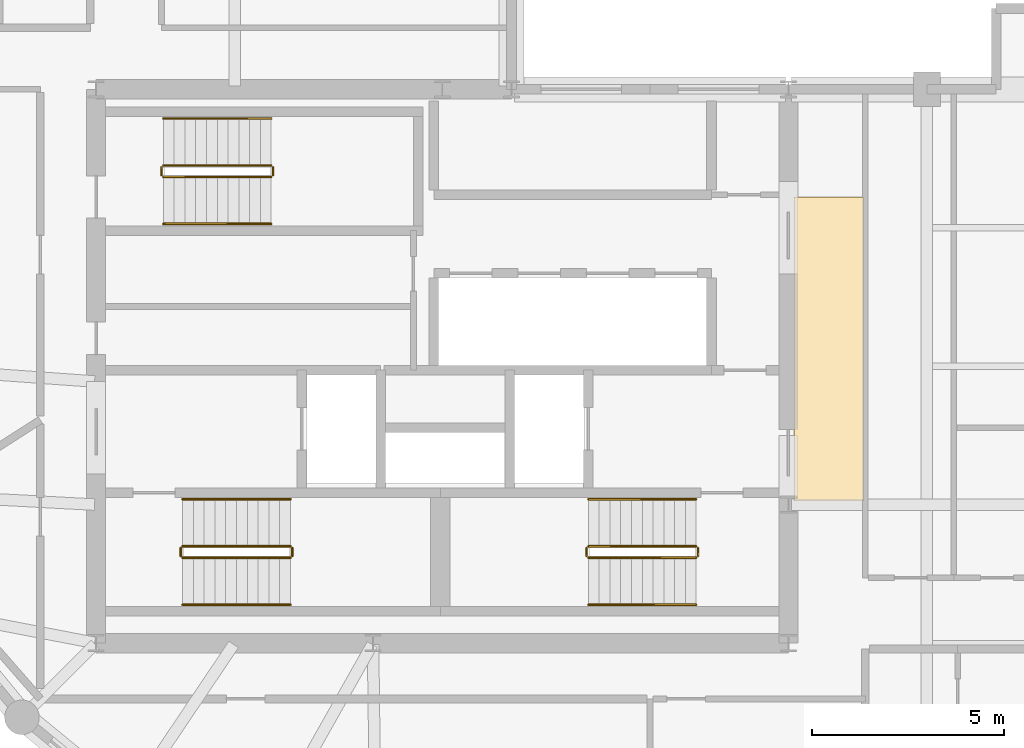
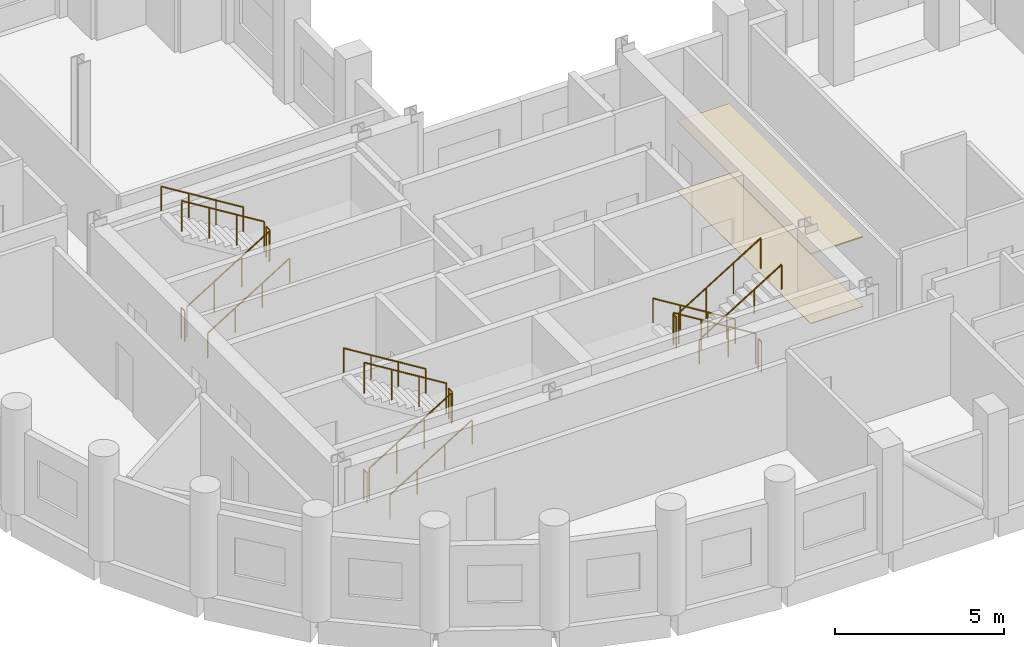
# One storey, part 8 of 8: 18 railings, 2 coverings.
"""IFC4 building model written with IfcOpenShell, lengths in metres."""

from ifc_helpers import new_model, si_unit, direction, frame, origin, origin_2d, place, context, subcontext, project, spatial, polyline, circle, outline, extrude, material, layer, layer_set, type_object, element, save


model = new_model("IFC4")

# Units and contexts
model_context = context("Model", 3, precision=1e-05, world=origin(), true_north=direction((0.0, 1.0)))
body_context = subcontext(model_context, "Body", "Model", "MODEL_VIEW")
ifc_project = project(units=[si_unit("LENGTHUNIT", "METRE"), si_unit("AREAUNIT", "SQUARE_METRE"), si_unit("VOLUMEUNIT", "CUBIC_METRE"), si_unit("PLANEANGLEUNIT", "RADIAN"), si_unit("MASSUNIT", "GRAM", prefix="KILO")], contexts=[model_context])

# Site, building, storey
site_placement = place(None, origin())
site = spatial("IfcSite", under=ifc_project, at=site_placement, CompositionType="ELEMENT")
building_placement = place(site_placement, origin())
building = spatial("IfcBuilding", under=site, at=building_placement, Name="Solnavia Interchange Tower", CompositionType="ELEMENT")
storey_placement = place(building_placement, frame((0.0, 0.0, 186.199951171875)))
storey = spatial("IfcBuildingStorey", under=building, at=storey_placement, Name="L46", CompositionType="ELEMENT", Elevation=186.199951171875)

# Coverings
ifc_material_1 = material(Name="Perforated Mineral-Fibre & Gypsum Ceiling", Category="gypsum")
ifc_layer_1 = layer(ifc_material_1, 0.0400390625)
ifc_layer_set_1 = layer_set([ifc_layer_1], Name="Perforated Mineral-Fibre & Gypsum Ceiling")
covering_type_1 = type_object("IfcCoveringType", Name="Covering-Ceiling-Acoustic40", PredefinedType="CEILING", material=ifc_layer_set_1)
covering_1_placement = place(storey_placement, frame((0.0, 0.0, 2.5)))
element("IfcCovering", 1, at=covering_1_placement, inside=storey, type_object=covering_type_1, Name="CLG-L46-01 Circulation suspended acoustic ceiling", PredefinedType="CEILING", context=body_context, shape_type="SweptSolid", body=[
    extrude(outline(polyline([(32.550048828125, 14.5), (34.35009765625, 14.5), (34.35009765625, 22.39990234375), (32.550048828125, 22.39990234375), (32.550048828125, 14.5)])), origin(), (0.0, 0.0, 1.0), 0.0400390625),
])
ifc_material_2 = material(Name="Engineered European Oak Flooring", Category="wood")
ifc_layer_2 = layer(ifc_material_2, 0.02001953125)
ifc_layer_set_2 = layer_set([ifc_layer_2], Name="Engineered European Oak Flooring")
covering_type_2 = type_object("IfcCoveringType", Name="Covering-Flooring-Timber20", PredefinedType="FLOORING", material=ifc_layer_set_2)
covering_2_placement = place(storey_placement, origin())
element("IfcCovering", 2, at=covering_2_placement, inside=storey, type_object=covering_type_2, Name="FLR-L46-01 Circulation floor finish", PredefinedType="FLOORING", context=body_context, shape_type="SweptSolid", body=[
    extrude(outline(polyline([(32.550048828125, 14.5), (34.35009765625, 14.5), (34.35009765625, 22.39990234375), (32.550048828125, 22.39990234375), (32.550048828125, 14.5)])), origin(), (0.0, 0.0, 1.0), 0.02001953125),
])

# Railings
ifc_material_3 = material(Name="Painted Steel Balustrade", Category="steel")
railing_type_1 = type_object("IfcRailingType", Name="Railing-StairGuard-1100", PredefinedType="GUARDRAIL", material=ifc_material_3)
railing_1_placement = place(storey_placement, frame((16.64990234375, 13.02001953125, 0.1728515625)))
element("IfcRailing", 3, at=railing_1_placement, inside=storey, type_object=railing_type_1, Name="L46 ST-1 stair guard 1", PredefinedType="GUARDRAIL", context=body_context, shape_type="SweptSolid", body=[
    extrude(circle(Radius=0.02392578125, at=origin_2d()), frame((0.0, 0.0, 1.09619140625), z_axis=(0.851089632645, 0.0, 0.525020415988), x_axis=(0.0, 1.0, 0.0)), (0.0, 0.0, 1.0), 3.2900390625),
    extrude(circle(Radius=0.02099609375, at=origin_2d()), origin(), (0.0, 0.0, 1.0), 1.072021484375),
    extrude(circle(Radius=0.02099609375, at=origin_2d()), frame((0.933349609375, 0.0, 0.57568359375)), (0.0, 0.0, 1.0), 1.072021484375),
    extrude(circle(Radius=0.02099609375, at=origin_2d()), frame((1.86669921875, 0.0, 1.151611328125)), (0.0, 0.0, 1.0), 1.072021484375),
    extrude(circle(Radius=0.02099609375, at=origin_2d()), frame((2.800048828125, 0.0, 1.727294921875)), (0.0, 0.0, 1.0), 1.072021484375),
])
railing_2_placement = place(storey_placement, frame((19.5, 13.070068359375, 1.900146484375)))
element("IfcRailing", 4, at=railing_2_placement, inside=storey, type_object=railing_type_1, Name="L46 ST-1 stair guard 2", PredefinedType="GUARDRAIL", context=body_context, shape_type="SweptSolid", body=[
    extrude(circle(Radius=0.02392578125, at=origin_2d()), frame((0.0, 0.0, 1.09619140625), z_axis=(0.0, 1.0, 0.0), x_axis=(-1.0, 0.0, 0.0)), (0.0, 0.0, 1.0), 0.199951171875),
    extrude(circle(Radius=0.02099609375, at=origin_2d()), origin(), (0.0, 0.0, 1.0), 1.072021484375),
    extrude(circle(Radius=0.02099609375, at=origin_2d()), frame((0.0, 0.199951171875, 0.0)), (0.0, 0.0, 1.0), 1.072021484375),
])
railing_3_placement = place(storey_placement, frame((19.449951171875, 13.320068359375, 2.07275390625)))
element("IfcRailing", 5, at=railing_3_placement, inside=storey, type_object=railing_type_1, Name="L46 ST-1 stair guard 3", PredefinedType="GUARDRAIL", context=body_context, shape_type="SweptSolid", body=[
    extrude(circle(Radius=0.02392578125, at=origin_2d()), frame((0.0, 0.0, 1.09619140625), z_axis=(-0.851089632645, 0.0, 0.525020415988), x_axis=(0.0, -1.0, 0.0)), (0.0, 0.0, 1.0), 3.2900390625),
    extrude(circle(Radius=0.02099609375, at=origin_2d()), origin(), (0.0, 0.0, 1.0), 1.072021484375),
    extrude(circle(Radius=0.02099609375, at=origin_2d()), frame((-0.933349609375, 0.0, 0.57568359375)), (0.0, 0.0, 1.0), 1.072021484375),
    extrude(circle(Radius=0.02099609375, at=origin_2d()), frame((-1.86669921875, 0.0, 1.151611328125)), (0.0, 0.0, 1.0), 1.072021484375),
    extrude(circle(Radius=0.02099609375, at=origin_2d()), frame((-2.800048828125, 0.0, 1.727294921875)), (0.0, 0.0, 1.0), 1.072021484375),
])
railing_4_placement = place(storey_placement, frame((16.60009765625, 13.070068359375, 0.0)))
element("IfcRailing", 6, at=railing_4_placement, inside=storey, type_object=railing_type_1, Name="L46 ST-1 stair guard 4", PredefinedType="GUARDRAIL", context=body_context, shape_type="SweptSolid", body=[
    extrude(circle(Radius=0.02392578125, at=origin_2d()), frame((0.0, 0.0, 1.09619140625), z_axis=(0.0, 1.0, 0.0), x_axis=(-1.0, 0.0, 0.0)), (0.0, 0.0, 1.0), 0.199951171875),
    extrude(circle(Radius=0.02099609375, at=origin_2d()), origin(), (0.0, 0.0, 1.0), 1.072021484375),
    extrude(circle(Radius=0.02099609375, at=origin_2d()), frame((0.0, 0.199951171875, 0.0)), (0.0, 0.0, 1.0), 1.072021484375),
])
railing_5_placement = place(storey_placement, frame((30.0, 13.320068359375, 0.1728515625)))
element("IfcRailing", 7, at=railing_5_placement, inside=storey, type_object=railing_type_1, Name="L46 ST-2 stair guard 1", PredefinedType="GUARDRAIL", context=body_context, shape_type="SweptSolid", body=[
    extrude(circle(Radius=0.02392578125, at=origin_2d()), frame((0.0, 0.0, 1.09619140625), z_axis=(-0.851089632645, 0.0, 0.525020415988), x_axis=(0.0, -1.0, 0.0)), (0.0, 0.0, 1.0), 3.2900390625),
    extrude(circle(Radius=0.02099609375, at=origin_2d()), origin(), (0.0, 0.0, 1.0), 1.072021484375),
    extrude(circle(Radius=0.02099609375, at=origin_2d()), frame((-0.933349609375, 0.0, 0.57568359375)), (0.0, 0.0, 1.0), 1.072021484375),
    extrude(circle(Radius=0.02099609375, at=origin_2d()), frame((-1.86669921875, 0.0, 1.151611328125)), (0.0, 0.0, 1.0), 1.072021484375),
    extrude(circle(Radius=0.02099609375, at=origin_2d()), frame((-2.800048828125, 0.0, 1.727294921875)), (0.0, 0.0, 1.0), 1.072021484375),
])
railing_6_placement = place(storey_placement, frame((27.14990234375, 13.27001953125, 1.900146484375)))
element("IfcRailing", 8, at=railing_6_placement, inside=storey, type_object=railing_type_1, Name="L46 ST-2 stair guard 2", PredefinedType="GUARDRAIL", context=body_context, shape_type="SweptSolid", body=[
    extrude(circle(Radius=0.02392578125, at=origin_2d()), frame((0.0, 0.0, 1.09619140625), z_axis=(0.0, -1.0, 0.0), x_axis=(1.0, 0.0, 0.0)), (0.0, 0.0, 1.0), 0.199951171875),
    extrude(circle(Radius=0.02099609375, at=origin_2d()), origin(), (0.0, 0.0, 1.0), 1.072021484375),
    extrude(circle(Radius=0.02099609375, at=origin_2d()), frame((0.0, -0.199951171875, 0.0)), (0.0, 0.0, 1.0), 1.072021484375),
])
railing_7_placement = place(storey_placement, frame((27.199951171875, 13.02001953125, 2.07275390625)))
element("IfcRailing", 9, at=railing_7_placement, inside=storey, type_object=railing_type_1, Name="L46 ST-2 stair guard 3", PredefinedType="GUARDRAIL", context=body_context, shape_type="SweptSolid", body=[
    extrude(circle(Radius=0.02392578125, at=origin_2d()), frame((0.0, 0.0, 1.09619140625), z_axis=(0.851089632645, 0.0, 0.525020415988), x_axis=(0.0, 1.0, 0.0)), (0.0, 0.0, 1.0), 3.2900390625),
    extrude(circle(Radius=0.02099609375, at=origin_2d()), origin(), (0.0, 0.0, 1.0), 1.072021484375),
    extrude(circle(Radius=0.02099609375, at=origin_2d()), frame((0.933349609375, 0.0, 0.57568359375)), (0.0, 0.0, 1.0), 1.072021484375),
    extrude(circle(Radius=0.02099609375, at=origin_2d()), frame((1.86669921875, 0.0, 1.151611328125)), (0.0, 0.0, 1.0), 1.072021484375),
    extrude(circle(Radius=0.02099609375, at=origin_2d()), frame((2.800048828125, 0.0, 1.727294921875)), (0.0, 0.0, 1.0), 1.072021484375),
])
railing_8_placement = place(storey_placement, frame((30.050048828125, 13.27001953125, 0.0)))
element("IfcRailing", 10, at=railing_8_placement, inside=storey, type_object=railing_type_1, Name="L46 ST-2 stair guard 4", PredefinedType="GUARDRAIL", context=body_context, shape_type="SweptSolid", body=[
    extrude(circle(Radius=0.02392578125, at=origin_2d()), frame((0.0, 0.0, 1.09619140625), z_axis=(0.0, -1.0, 0.0), x_axis=(1.0, 0.0, 0.0)), (0.0, 0.0, 1.0), 0.199951171875),
    extrude(circle(Radius=0.02099609375, at=origin_2d()), origin(), (0.0, 0.0, 1.0), 1.072021484375),
    extrude(circle(Radius=0.02099609375, at=origin_2d()), frame((0.0, -0.199951171875, 0.0)), (0.0, 0.0, 1.0), 1.072021484375),
])
railing_9_placement = place(storey_placement, frame((16.14990234375, 22.919921875, 0.1728515625)))
element("IfcRailing", 11, at=railing_9_placement, inside=storey, type_object=railing_type_1, Name="L46 ST-3 stair guard 1", PredefinedType="GUARDRAIL", context=body_context, shape_type="SweptSolid", body=[
    extrude(circle(Radius=0.02392578125, at=origin_2d()), frame((0.0, 0.0, 1.09619140625), z_axis=(0.851089632645, 0.0, 0.525020415988), x_axis=(0.0, 1.0, 0.0)), (0.0, 0.0, 1.0), 3.2900390625),
    extrude(circle(Radius=0.02099609375, at=origin_2d()), origin(), (0.0, 0.0, 1.0), 1.072021484375),
    extrude(circle(Radius=0.02099609375, at=origin_2d()), frame((0.933349609375, 0.0, 0.57568359375)), (0.0, 0.0, 1.0), 1.072021484375),
    extrude(circle(Radius=0.02099609375, at=origin_2d()), frame((1.86669921875, 0.0, 1.151611328125)), (0.0, 0.0, 1.0), 1.072021484375),
    extrude(circle(Radius=0.02099609375, at=origin_2d()), frame((2.800048828125, 0.0, 1.727294921875)), (0.0, 0.0, 1.0), 1.072021484375),
])
railing_10_placement = place(storey_placement, frame((19.0, 22.969970703125, 1.900146484375)))
element("IfcRailing", 12, at=railing_10_placement, inside=storey, type_object=railing_type_1, Name="L46 ST-3 stair guard 2", PredefinedType="GUARDRAIL", context=body_context, shape_type="SweptSolid", body=[
    extrude(circle(Radius=0.02392578125, at=origin_2d()), frame((0.0, 0.0, 1.09619140625), z_axis=(0.0, 1.0, 0.0), x_axis=(-1.0, 0.0, 0.0)), (0.0, 0.0, 1.0), 0.199951171875),
    extrude(circle(Radius=0.02099609375, at=origin_2d()), origin(), (0.0, 0.0, 1.0), 1.072021484375),
    extrude(circle(Radius=0.02099609375, at=origin_2d()), frame((0.0, 0.199951171875, 0.0)), (0.0, 0.0, 1.0), 1.072021484375),
])
railing_11_placement = place(storey_placement, frame((18.949951171875, 23.219970703125, 2.07275390625)))
element("IfcRailing", 13, at=railing_11_placement, inside=storey, type_object=railing_type_1, Name="L46 ST-3 stair guard 3", PredefinedType="GUARDRAIL", context=body_context, shape_type="SweptSolid", body=[
    extrude(circle(Radius=0.02392578125, at=origin_2d()), frame((0.0, 0.0, 1.09619140625), z_axis=(-0.851089632645, 0.0, 0.525020415988), x_axis=(0.0, -1.0, 0.0)), (0.0, 0.0, 1.0), 3.2900390625),
    extrude(circle(Radius=0.02099609375, at=origin_2d()), origin(), (0.0, 0.0, 1.0), 1.072021484375),
    extrude(circle(Radius=0.02099609375, at=origin_2d()), frame((-0.933349609375, 0.0, 0.57568359375)), (0.0, 0.0, 1.0), 1.072021484375),
    extrude(circle(Radius=0.02099609375, at=origin_2d()), frame((-1.86669921875, 0.0, 1.151611328125)), (0.0, 0.0, 1.0), 1.072021484375),
    extrude(circle(Radius=0.02099609375, at=origin_2d()), frame((-2.800048828125, 0.0, 1.727294921875)), (0.0, 0.0, 1.0), 1.072021484375),
])
railing_12_placement = place(storey_placement, frame((16.10009765625, 22.969970703125, 0.0)))
element("IfcRailing", 14, at=railing_12_placement, inside=storey, type_object=railing_type_1, Name="L46 ST-3 stair guard 4", PredefinedType="GUARDRAIL", context=body_context, shape_type="SweptSolid", body=[
    extrude(circle(Radius=0.02392578125, at=origin_2d()), frame((0.0, 0.0, 1.09619140625), z_axis=(0.0, 1.0, 0.0), x_axis=(-1.0, 0.0, 0.0)), (0.0, 0.0, 1.0), 0.199951171875),
    extrude(circle(Radius=0.02099609375, at=origin_2d()), origin(), (0.0, 0.0, 1.0), 1.072021484375),
    extrude(circle(Radius=0.02099609375, at=origin_2d()), frame((0.0, 0.199951171875, 0.0)), (0.0, 0.0, 1.0), 1.072021484375),
])
ifc_material_4 = material(Name="Brushed Stainless Steel", Category="steel")
railing_type_2 = type_object("IfcRailingType", Name="Railing-StairHandrail-900", PredefinedType="HANDRAIL", material=ifc_material_4)
railing_13_placement = place(storey_placement, frame((16.64990234375, 11.800048828125, 0.1728515625)))
element("IfcRailing", 15, at=railing_13_placement, inside=storey, type_object=railing_type_2, Name="L46 ST-1 stair handrail 1", PredefinedType="HANDRAIL", context=body_context, shape_type="SweptSolid", body=[
    extrude(circle(Radius=0.02392578125, at=origin_2d()), frame((0.0, 0.0, 0.8759765625), z_axis=(0.851089632645, 0.0, 0.525020415988), x_axis=(0.0, 1.0, 0.0)), (0.0, 0.0, 1.0), 3.2900390625),
    extrude(circle(Radius=0.02099609375, at=origin_2d()), origin(), (0.0, 0.0, 1.0), 0.851806640625),
    extrude(circle(Radius=0.02099609375, at=origin_2d()), frame((0.933349609375, 0.0, 0.57568359375)), (0.0, 0.0, 1.0), 0.851806640625),
    extrude(circle(Radius=0.02099609375, at=origin_2d()), frame((1.86669921875, 0.0, 1.151611328125)), (0.0, 0.0, 1.0), 0.851806640625),
    extrude(circle(Radius=0.02099609375, at=origin_2d()), frame((2.800048828125, 0.0, 1.727294921875)), (0.0, 0.0, 1.0), 0.851806640625),
])
for number, where, name in (
    (16, (19.449951171875, 14.5400390625, 2.07275390625), "L46 ST-1 stair handrail 2"),
    (17, (30.0, 14.5400390625, 0.1728515625), "L46 ST-2 stair handrail 1"),
):
    element("IfcRailing", number, at=place(storey_placement, frame(where)), inside=storey, type_object=railing_type_2, Name=name, PredefinedType="HANDRAIL", context=body_context, shape_type="SweptSolid", body=[
        extrude(circle(Radius=0.02392578125, at=origin_2d()), frame((0.0, 0.0, 0.8759765625), z_axis=(-0.851089632645, 0.0, 0.525020415988), x_axis=(0.0, -1.0, 0.0)), (0.0, 0.0, 1.0), 3.2900390625),
        extrude(circle(Radius=0.02099609375, at=origin_2d()), origin(), (0.0, 0.0, 1.0), 0.851806640625),
        extrude(circle(Radius=0.02099609375, at=origin_2d()), frame((-0.933349609375, 0.0, 0.57568359375)), (0.0, 0.0, 1.0), 0.851806640625),
        extrude(circle(Radius=0.02099609375, at=origin_2d()), frame((-1.86669921875, 0.0, 1.151611328125)), (0.0, 0.0, 1.0), 0.851806640625),
        extrude(circle(Radius=0.02099609375, at=origin_2d()), frame((-2.800048828125, 0.0, 1.727294921875)), (0.0, 0.0, 1.0), 0.851806640625),
    ])
for number, where, name in (
    (18, (27.199951171875, 11.800048828125, 2.07275390625), "L46 ST-2 stair handrail 2"),
    (19, (16.14990234375, 21.699951171875, 0.1728515625), "L46 ST-3 stair handrail 1"),
):
    element("IfcRailing", number, at=place(storey_placement, frame(where)), inside=storey, type_object=railing_type_2, Name=name, PredefinedType="HANDRAIL", context=body_context, shape_type="SweptSolid", body=[
        extrude(circle(Radius=0.02392578125, at=origin_2d()), frame((0.0, 0.0, 0.8759765625), z_axis=(0.851089632645, 0.0, 0.525020415988), x_axis=(0.0, 1.0, 0.0)), (0.0, 0.0, 1.0), 3.2900390625),
        extrude(circle(Radius=0.02099609375, at=origin_2d()), origin(), (0.0, 0.0, 1.0), 0.851806640625),
        extrude(circle(Radius=0.02099609375, at=origin_2d()), frame((0.933349609375, 0.0, 0.57568359375)), (0.0, 0.0, 1.0), 0.851806640625),
        extrude(circle(Radius=0.02099609375, at=origin_2d()), frame((1.86669921875, 0.0, 1.151611328125)), (0.0, 0.0, 1.0), 0.851806640625),
        extrude(circle(Radius=0.02099609375, at=origin_2d()), frame((2.800048828125, 0.0, 1.727294921875)), (0.0, 0.0, 1.0), 0.851806640625),
    ])
railing_14_placement = place(storey_placement, frame((18.949951171875, 24.43994140625, 2.07275390625)))
element("IfcRailing", 20, at=railing_14_placement, inside=storey, type_object=railing_type_2, Name="L46 ST-3 stair handrail 2", PredefinedType="HANDRAIL", context=body_context, shape_type="SweptSolid", body=[
    extrude(circle(Radius=0.02392578125, at=origin_2d()), frame((0.0, 0.0, 0.8759765625), z_axis=(-0.851089632645, 0.0, 0.525020415988), x_axis=(0.0, -1.0, 0.0)), (0.0, 0.0, 1.0), 3.2900390625),
    extrude(circle(Radius=0.02099609375, at=origin_2d()), origin(), (0.0, 0.0, 1.0), 0.851806640625),
    extrude(circle(Radius=0.02099609375, at=origin_2d()), frame((-0.933349609375, 0.0, 0.57568359375)), (0.0, 0.0, 1.0), 0.851806640625),
    extrude(circle(Radius=0.02099609375, at=origin_2d()), frame((-1.86669921875, 0.0, 1.151611328125)), (0.0, 0.0, 1.0), 0.851806640625),
    extrude(circle(Radius=0.02099609375, at=origin_2d()), frame((-2.800048828125, 0.0, 1.727294921875)), (0.0, 0.0, 1.0), 0.851806640625),
])

save(model, "model.ifc")
